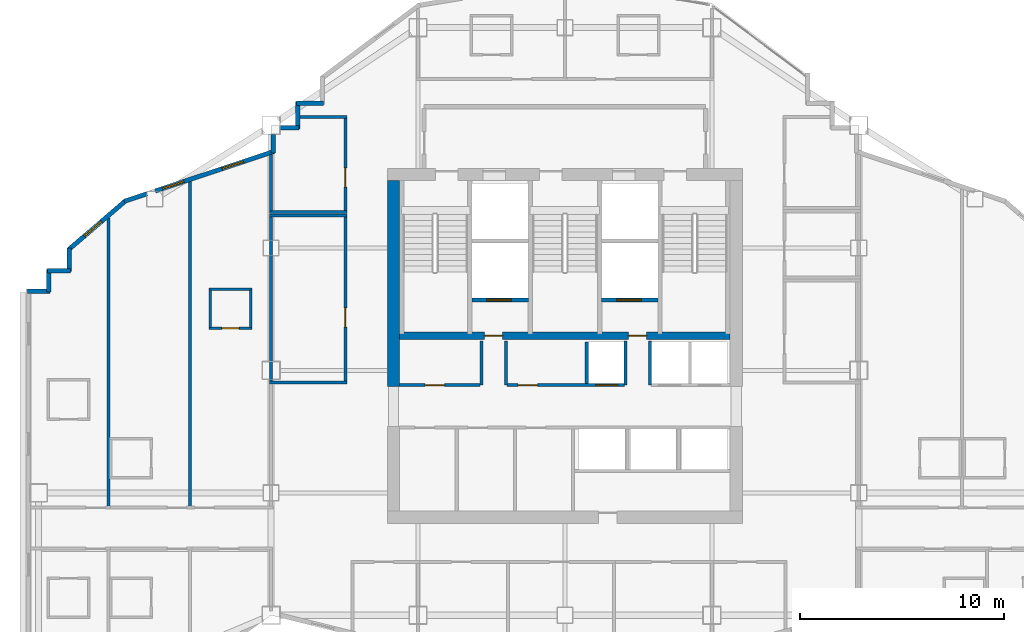
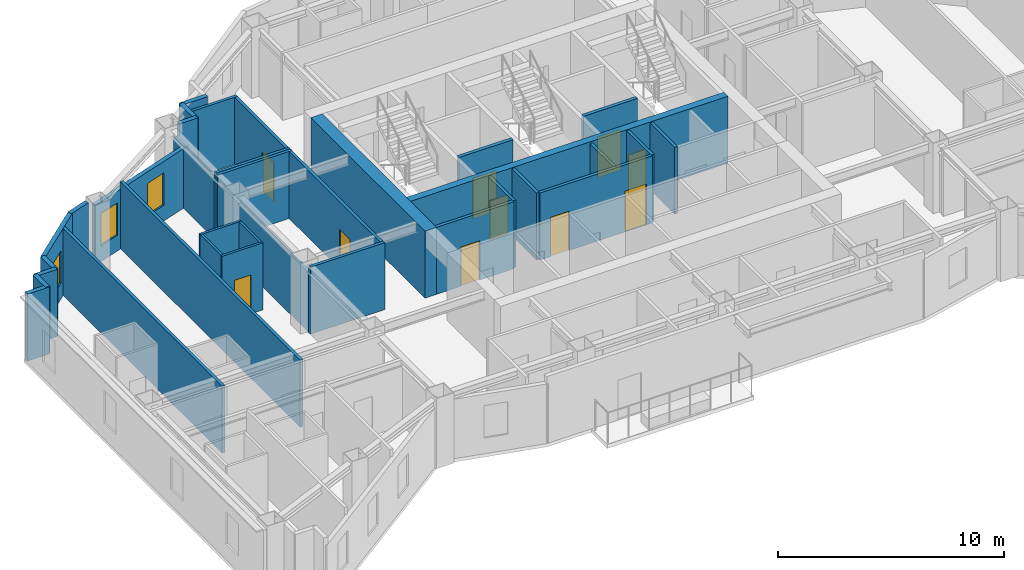
# One storey, part 6 of 13: 36 walls, 10 doors, 3 windows, 13 openings.
"""IFC4 building model written with IfcOpenShell, lengths in metres."""

from ifc_helpers import new_model, si_unit, direction, frame, frame_2d, origin, place, context, subcontext, project, spatial, rectangle, extrude, material, layer, layer_set, type_object, element, fill, save


model = new_model("IFC4")

# Units and contexts
model_context = context("Model", 3, precision=1e-05, world=origin(), true_north=direction((0.0, 1.0)))
body_context = subcontext(model_context, "Body", "Model", "MODEL_VIEW")
ifc_project = project(units=[si_unit("LENGTHUNIT", "METRE"), si_unit("AREAUNIT", "SQUARE_METRE"), si_unit("VOLUMEUNIT", "CUBIC_METRE"), si_unit("PLANEANGLEUNIT", "RADIAN"), si_unit("MASSUNIT", "GRAM", prefix="KILO")], contexts=[model_context])

# Site, building, storey
site_placement = place(None, origin())
site = spatial("IfcSite", under=ifc_project, at=site_placement, CompositionType="ELEMENT")
building_placement = place(site_placement, origin())
building = spatial("IfcBuilding", under=site, at=building_placement, Name="Haolan Belvedere Tower", CompositionType="ELEMENT")
storey_placement = place(building_placement, frame((0.0, 0.0, 219.199951171875)))
storey = spatial("IfcBuildingStorey", under=building, at=storey_placement, Name="L55", CompositionType="ELEMENT", Elevation=219.199951171875)

# Walls
ifc_material_1 = material(Name="Concrete C60/75", Category="concrete")
ifc_layer_1 = layer(ifc_material_1, 0.60009765625, Name="Concrete C60/75")
ifc_layer_set_1 = layer_set([ifc_layer_1], Name="Concrete C60/75")
wall_type_1 = type_object("IfcWallType", Name="WL-CORE-600", PredefinedType="SHEAR", material=ifc_layer_set_1)
wall_1_placement = place(storey_placement, frame((30.0, 32.800048828125, 0.0), z_axis=(0.0, 0.0, 1.0), x_axis=(0.0, 1.0, 0.0)))
element("IfcWall", 1, at=wall_1_placement, inside=storey, type_object=wall_type_1, Name="L55 central core shear wall WN", PredefinedType="SHEAR", context=body_context, shape_type="SweptSolid", body=[
    extrude(rectangle(XDim=10.099853515625, YDim=0.60009765625, at=frame_2d((5.0498046875, 0.0))), origin(), (0.0, 0.0, 1.0), 3.6201171875),
])
ifc_material_2 = material(Name="Precast concrete C40/50", Category="concrete")
ifc_layer_2 = layer(ifc_material_2, 0.219970703125, Name="Precast concrete C40/50")
ifc_layer_set_2 = layer_set([ifc_layer_2], Name="Precast concrete C40/50")
wall_type_2 = type_object("IfcWallType", Name="WL-EXT-220", PredefinedType="SOLIDWALL", material=ifc_layer_set_2)
for number, where, z_axis, x_axis, name in (
    (2, (26.56494140625, 46.68994140625, 0.0), (0.0, 0.0, 1.0), (-1.0, 0.0, 0.0), "L55 pale-metal exterior spandrel wall 25.1"),
    (3, (25.31005859375, 46.7451171875, 0.0), (0.0, 0.0, 1.0), (0.0, -1.0, 0.0), "L55 pale-metal exterior spandrel wall 26.1"),
):
    element("IfcWall", number, at=place(storey_placement, frame(where, z_axis=z_axis, x_axis=x_axis)), inside=storey, type_object=wall_type_2, Name=name, PredefinedType="SOLIDWALL", context=body_context, shape_type="SweptSolid", body=[
        extrude(rectangle(XDim=1.31005859375, YDim=0.219970703125, at=frame_2d((0.655029296875, 0.0))), origin(), (0.0, 0.0, 1.0), 3.6201171875),
    ])
wall_2_placement = place(storey_placement, frame((25.364990234375, 45.489990234375, 0.0), z_axis=(0.0, 0.0, 1.0), x_axis=(-1.0, 0.0, 0.0)))
element("IfcWall", 4, at=wall_2_placement, inside=storey, type_object=wall_type_2, Name="L55 pale-metal exterior spandrel wall 27.1", PredefinedType="SOLIDWALL", context=body_context, shape_type="SweptSolid", body=[
    extrude(rectangle(XDim=0.923095703125, YDim=0.219970703125, at=frame_2d((0.46142578125, 0.0))), origin(), (0.0, 0.0, 1.0), 3.6201171875),
])
wall_3_placement = place(storey_placement, frame((24.110107421875, 45.157958984375, 0.0), z_axis=(0.0, 0.0, 1.0), x_axis=(0.0, -1.0, 0.0)))
element("IfcWall", 5, at=wall_3_placement, inside=storey, type_object=wall_type_2, Name="L55 pale-metal exterior spandrel wall 28.1", PredefinedType="SOLIDWALL", context=body_context, shape_type="SweptSolid", body=[
    extrude(rectangle(XDim=0.892333984375, YDim=0.219970703125, at=frame_2d((0.4462890625, 0.0))), origin(), (0.0, 0.0, 1.0), 3.215087890625),
])

# Wall, openings, windows
wall_4_placement = place(storey_placement, frame((24.162109375, 44.338134765625, 0.0), z_axis=(0.0, 0.0, 1.0), x_axis=(-0.948687265055, -0.316215864755, 0.0)))
wall_4 = element("IfcWall", 6, at=wall_4_placement, inside=storey, type_object=wall_type_2, Name="L55 pale-metal exterior spandrel wall 29.1", PredefinedType="SOLIDWALL", context=body_context, shape_type="SweptSolid", body=[
    extrude(rectangle(XDim=6.154052734375, YDim=0.219970703125, at=frame_2d((3.0771484375, 0.0))), origin(), (0.0, 0.0, 1.0), 3.215087890625),
])
opening_1_placement = place(wall_4_placement, frame((1.60009765625, 0.0, 0.85009765625)))
opening_1 = element("IfcOpeningElement", 7, at=opening_1_placement, cuts=wall_4, Name="Opening W-03", PredefinedType="OPENING", context=body_context, shape_type="SweptSolid", body=[
    extrude(rectangle(XDim=1.10009765625, YDim=1.75, at=frame_2d((0.550048828125, 0.875))), frame((0.0, 0.119873046875, 0.0), z_axis=(0.0, -1.0, 0.0), x_axis=(1.0, 0.0, 0.0)), (0.0, 0.0, 1.0), 0.239990234375),
])
opening_2_placement = place(wall_4_placement, frame((4.677978515625, 0.0, 0.85009765625)))
opening_2 = element("IfcOpeningElement", 8, at=opening_2_placement, cuts=wall_4, Name="Opening W-03", PredefinedType="OPENING", context=body_context, shape_type="SweptSolid", body=[
    extrude(rectangle(XDim=1.10009765625, YDim=1.75, at=frame_2d((0.550048828125, 0.875))), frame((0.0, 0.119873046875, 0.0), z_axis=(0.0, -1.0, 0.0), x_axis=(1.0, 0.0, 0.0)), (0.0, 0.0, 1.0), 0.239990234375),
])
ifc_material_3 = material(Name="Anodised aluminium 6063-T6 and Low-E glass", Category="aluminium")
window_type = type_object("IfcWindowType", Name="WN-DECO-Z3", PartitioningType="SINGLE_PANEL", PredefinedType="WINDOW", material=ifc_material_3)
window_1_placement = place(opening_1_placement, origin())
window_1 = element("IfcWindow", 9, at=window_1_placement, inside=storey, type_object=window_type, Name="L55 Art Deco chevron window 1", OverallHeight=1.75, OverallWidth=1.10009765625, PartitioningType="SINGLE_PANEL", PredefinedType="WINDOW", context=body_context, shape_type="SweptSolid", body=[
    extrude(rectangle(XDim=1.10009765625, YDim=1.75, at=frame_2d((0.550048828125, 0.875))), frame((0.0, 0.030029296875, 0.0), z_axis=(0.0, -1.0, 0.0), x_axis=(1.0, 0.0, 0.0)), (0.0, 0.0, 1.0), 0.06005859375),
])
fill(opening_1, window_1)
window_2_placement = place(opening_2_placement, origin())
window_2 = element("IfcWindow", 10, at=window_2_placement, inside=storey, type_object=window_type, Name="L55 Art Deco guestroom window 1", OverallHeight=1.75, OverallWidth=1.10009765625, PartitioningType="SINGLE_PANEL", PredefinedType="WINDOW", context=body_context, shape_type="SweptSolid", body=[
    extrude(rectangle(XDim=1.10009765625, YDim=1.75, at=frame_2d((0.550048828125, 0.875))), frame((0.0, 0.030029296875, 0.0), z_axis=(0.0, -1.0, 0.0), x_axis=(1.0, 0.0, 0.0)), (0.0, 0.0, 1.0), 0.06005859375),
])
fill(opening_2, window_2)

# Wall
wall_5_placement = place(storey_placement, frame((17.907958984375, 42.25341796875, 0.0), z_axis=(0.0, 0.0, 1.0), x_axis=(-0.948662335685, -0.316290646166, 0.0)))
element("IfcWall", 11, at=wall_5_placement, inside=storey, type_object=wall_type_2, Name="L55 pale-metal exterior spandrel wall 29.2", PredefinedType="SOLIDWALL", context=body_context, shape_type="SweptSolid", body=[
    extrude(rectangle(XDim=1.164794921875, YDim=0.219970703125, at=frame_2d((0.58251953125, 0.0))), origin(), (0.0, 0.0, 1.0), 3.6201171875),
])

# Wall, opening, window
wall_6_placement = place(storey_placement, frame((16.89697265625, 41.938232421875, 0.0), z_axis=(0.0, 0.0, 1.0), x_axis=(-0.759279729622, -0.650764390686, 0.0)))
wall_6 = element("IfcWall", 12, at=wall_6_placement, inside=storey, type_object=wall_type_2, Name="L55 pale-metal exterior spandrel wall 30.1", PredefinedType="SOLIDWALL", context=body_context, shape_type="SweptSolid", body=[
    extrude(rectangle(XDim=3.725830078125, YDim=0.219970703125, at=frame_2d((1.86279296875, 0.0))), origin(), (0.0, 0.0, 1.0), 3.6201171875),
])
opening_3_placement = place(wall_6_placement, frame((1.60009765625, 0.0, 0.85009765625)))
opening_3 = element("IfcOpeningElement", 13, at=opening_3_placement, cuts=wall_6, Name="Opening W-03", PredefinedType="OPENING", context=body_context, shape_type="SweptSolid", body=[
    extrude(rectangle(XDim=1.10009765625, YDim=1.75, at=frame_2d((0.550048828125, 0.875))), frame((0.0, 0.119873046875, 0.0), z_axis=(0.0, -1.0, 0.0), x_axis=(1.0, 0.0, 0.0)), (0.0, 0.0, 1.0), 0.239990234375),
])
window_3_placement = place(opening_3_placement, origin())
window_3 = element("IfcWindow", 14, at=window_3_placement, inside=storey, type_object=window_type, Name="L55 Art Deco chevron window 1", OverallHeight=1.75, OverallWidth=1.10009765625, PartitioningType="SINGLE_PANEL", PredefinedType="WINDOW", context=body_context, shape_type="SweptSolid", body=[
    extrude(rectangle(XDim=1.10009765625, YDim=1.75, at=frame_2d((0.550048828125, 0.875))), frame((0.0, 0.030029296875, 0.0), z_axis=(0.0, -1.0, 0.0), x_axis=(1.0, 0.0, 0.0)), (0.0, 0.0, 1.0), 0.06005859375),
])
fill(opening_3, window_3)

# Walls
wall_7_placement = place(storey_placement, frame((14.110107421875, 39.6044921875, 0.0), z_axis=(0.0, 0.0, 1.0), x_axis=(0.0, -1.0, 0.0)))
element("IfcWall", 15, at=wall_7_placement, inside=storey, type_object=wall_type_2, Name="L55 pale-metal exterior spandrel wall 31.1", PredefinedType="SOLIDWALL", context=body_context, shape_type="SweptSolid", body=[
    extrude(rectangle(XDim=1.16943359375, YDim=0.219970703125, at=frame_2d((0.584716796875, 0.0))), origin(), (0.0, 0.0, 1.0), 3.6201171875),
])
wall_8_placement = place(storey_placement, frame((14.1650390625, 38.489990234375, 0.0), z_axis=(0.0, 0.0, 1.0), x_axis=(-1.0, 0.0, 0.0)))
element("IfcWall", 16, at=wall_8_placement, inside=storey, type_object=wall_type_2, Name="L55 pale-metal exterior spandrel wall 32.1", PredefinedType="SOLIDWALL", context=body_context, shape_type="SweptSolid", body=[
    extrude(rectangle(XDim=1.110107421875, YDim=0.219970703125, at=frame_2d((0.55517578125, 0.0))), origin(), (0.0, 0.0, 1.0), 3.6201171875),
])
wall_9_placement = place(storey_placement, frame((13.110107421875, 38.544921875, 0.0), z_axis=(0.0, 0.0, 1.0), x_axis=(0.0, -1.0, 0.0)))
element("IfcWall", 17, at=wall_9_placement, inside=storey, type_object=wall_type_2, Name="L55 pale-metal exterior spandrel wall 33.1", PredefinedType="SOLIDWALL", context=body_context, shape_type="SweptSolid", body=[
    extrude(rectangle(XDim=1.10986328125, YDim=0.219970703125, at=frame_2d((0.554931640625, 0.0))), origin(), (0.0, 0.0, 1.0), 3.6201171875),
])
wall_10_placement = place(storey_placement, frame((13.1650390625, 37.489990234375, 0.0), z_axis=(0.0, 0.0, 1.0), x_axis=(-1.0, 0.0, 0.0)))
element("IfcWall", 18, at=wall_10_placement, inside=storey, type_object=wall_type_2, Name="L55 pale-metal exterior spandrel wall 34.1", PredefinedType="SOLIDWALL", context=body_context, shape_type="SweptSolid", body=[
    extrude(rectangle(XDim=1.110107421875, YDim=0.219970703125, at=frame_2d((0.55517578125, 0.0))), origin(), (0.0, 0.0, 1.0), 3.6201171875),
])
ifc_material_4 = material(Name="Double gypsum acoustic stud partition", Category="masonry")
ifc_layer_3 = layer(ifc_material_4, 0.14990234375, Name="Double gypsum acoustic stud partition")
ifc_layer_set_3 = layer_set([ifc_layer_3], Name="Double gypsum acoustic stud partition")
wall_type_3 = type_object("IfcWallType", Name="WL-PART-150", PredefinedType="PARTITIONING", material=ifc_layer_set_3)
for number, where, z_axis, x_axis, name in (
    (19, (23.919921875, 41.199951171875, 0.0), (0.0, 0.0, 1.0), (1.0, 0.0, 0.0), "L55 interior partition IW-L55-SAL-N"),
    (20, (23.919921875, 33.0, 0.0), (0.0, 0.0, 1.0), (1.0, 0.0, 0.0), "L55 interior partition IW-L55-SAL-S"),
):
    element("IfcWall", number, at=place(storey_placement, frame(where, z_axis=z_axis, x_axis=x_axis)), inside=storey, type_object=wall_type_3, Name=name, PredefinedType="PARTITIONING", context=body_context, shape_type="SweptSolid", body=[
        extrude(rectangle(XDim=3.800048828125, YDim=0.14990234375, at=frame_2d((1.89990234375, 0.0))), origin(), (0.0, 0.0, 1.0), 3.6201171875),
    ])
wall_11_placement = place(storey_placement, frame((24.0, 33.06005859375, 0.0), z_axis=(0.0, 0.0, 1.0), x_axis=(0.0, 1.0, 0.0)))
element("IfcWall", 21, at=wall_11_placement, inside=storey, type_object=wall_type_3, Name="L55 interior partition IW-L55-SAL-W", PredefinedType="PARTITIONING", context=body_context, shape_type="SweptSolid", body=[
    extrude(rectangle(XDim=8.079833984375, YDim=0.14990234375, at=frame_2d((4.0400390625, 0.0))), origin(), (0.0, 0.0, 1.0), 3.215087890625),
])

# Wall, opening, door
wall_12_placement = place(storey_placement, frame((27.639892578125, 33.06005859375, 0.0), z_axis=(0.0, 0.0, 1.0), x_axis=(0.0, 1.0, 0.0)))
wall_12 = element("IfcWall", 22, at=wall_12_placement, inside=storey, type_object=wall_type_3, Name="L55 interior partition IW-L55-SAL-E", PredefinedType="PARTITIONING", context=body_context, shape_type="SweptSolid", body=[
    extrude(rectangle(XDim=8.079833984375, YDim=0.14990234375, at=frame_2d((4.0400390625, 0.0))), origin(), (0.0, 0.0, 1.0), 3.6201171875),
])
opening_4_placement = place(wall_12_placement, frame((3.60986328125, 0.0, 0.0), z_axis=(0.0, 0.0, 1.0), x_axis=(-1.0, 0.0, 0.0)))
opening_4 = element("IfcOpeningElement", 23, at=opening_4_placement, cuts=wall_12, Name="Opening ID-03", PredefinedType="OPENING", context=body_context, shape_type="SweptSolid", body=[
    extrude(rectangle(XDim=0.949951171875, YDim=2.1201171875, at=frame_2d((0.47509765625, 1.06005859375))), frame((0.0, 0.0849609375, 0.0), z_axis=(0.0, -1.0, 0.0), x_axis=(1.0, 0.0, 0.0)), (0.0, 0.0, 1.0), 0.169921875),
])
ifc_material_5 = material(Name="Painted solid-core timber", Category="wood")
door_type_1 = type_object("IfcDoorType", Name="DR-INT-950", OperationType="NOTDEFINED", PredefinedType="DOOR", material=ifc_material_5)
door_1_placement = place(opening_4_placement, origin())
door_1 = element("IfcDoor", 24, at=door_1_placement, inside=storey, type_object=door_type_1, Name="L55 door ID-L55-SAL", OperationType="SINGLE_SWING_LEFT", OverallHeight=2.1201171875, OverallWidth=0.949951171875, PredefinedType="DOOR", context=body_context, shape_type="SweptSolid", body=[
    extrude(rectangle(XDim=0.949951171875, YDim=2.1201171875, at=frame_2d((0.47509765625, 1.06005859375))), frame((0.0, 0.02490234375, 0.0), z_axis=(0.0, -1.0, 0.0), x_axis=(1.0, 0.0, 0.0)), (0.0, 0.0, 1.0), 0.050048828125),
])
fill(opening_4, door_1)

# Walls
wall_13_placement = place(storey_placement, frame((25.412109375, 46.02001953125, 0.0), z_axis=(0.0, 0.0, 1.0), x_axis=(1.0, 0.0, 0.0)))
element("IfcWall", 25, at=wall_13_placement, inside=storey, type_object=wall_type_3, Name="L55 interior partition IW-L55-HSK-N", PredefinedType="PARTITIONING", context=body_context, shape_type="SweptSolid", body=[
    extrude(rectangle(XDim=2.307861328125, YDim=0.14990234375, at=frame_2d((1.15380859375, 0.0))), origin(), (0.0, 0.0, 1.0), 3.6201171875),
])
wall_14_placement = place(storey_placement, frame((23.919921875, 41.360107421875, 0.0), z_axis=(0.0, 0.0, 1.0), x_axis=(1.0, 0.0, 0.0)))
element("IfcWall", 26, at=wall_14_placement, inside=storey, type_object=wall_type_3, Name="L55 interior partition IW-L55-HSK-S", PredefinedType="PARTITIONING", context=body_context, shape_type="SweptSolid", body=[
    extrude(rectangle(XDim=3.800048828125, YDim=0.14990234375, at=frame_2d((1.89990234375, 0.0))), origin(), (0.0, 0.0, 1.0), 3.6201171875),
])
wall_15_placement = place(storey_placement, frame((24.0, 41.419921875, 0.0), z_axis=(0.0, 0.0, 1.0), x_axis=(0.0, 1.0, 0.0)))
element("IfcWall", 27, at=wall_15_placement, inside=storey, type_object=wall_type_3, Name="L55 interior partition IW-L55-HSK-W", PredefinedType="PARTITIONING", context=body_context, shape_type="SweptSolid", body=[
    extrude(rectangle(XDim=2.756591796875, YDim=0.14990234375, at=frame_2d((1.37841796875, 0.0))), origin(), (0.0, 0.0, 1.0), 3.215087890625),
])

# Wall, opening, door
wall_16_placement = place(storey_placement, frame((27.639892578125, 41.419921875, 0.0), z_axis=(0.0, 0.0, 1.0), x_axis=(0.0, 1.0, 0.0)))
wall_16 = element("IfcWall", 28, at=wall_16_placement, inside=storey, type_object=wall_type_3, Name="L55 interior partition IW-L55-HSK-E", PredefinedType="PARTITIONING", context=body_context, shape_type="SweptSolid", body=[
    extrude(rectangle(XDim=4.5400390625, YDim=0.14990234375, at=frame_2d((2.27001953125, 0.0))), origin(), (0.0, 0.0, 1.0), 3.6201171875),
])
opening_5_placement = place(wall_16_placement, frame((2.10986328125, 0.0, 0.0), z_axis=(0.0, 0.0, 1.0), x_axis=(-1.0, 0.0, 0.0)))
opening_5 = element("IfcOpeningElement", 29, at=opening_5_placement, cuts=wall_16, Name="Opening ID-03", PredefinedType="OPENING", context=body_context, shape_type="SweptSolid", body=[
    extrude(rectangle(XDim=0.949951171875, YDim=2.1201171875, at=frame_2d((0.47509765625, 1.06005859375))), frame((0.0, 0.0849609375, 0.0), z_axis=(0.0, -1.0, 0.0), x_axis=(1.0, 0.0, 0.0)), (0.0, 0.0, 1.0), 0.169921875),
])
door_2_placement = place(opening_5_placement, origin())
door_2 = element("IfcDoor", 30, at=door_2_placement, inside=storey, type_object=door_type_1, Name="L55 door ID-L55-HSK", OperationType="SINGLE_SWING_RIGHT", OverallHeight=2.1201171875, OverallWidth=0.949951171875, PredefinedType="DOOR", context=body_context, shape_type="SweptSolid", body=[
    extrude(rectangle(XDim=0.949951171875, YDim=2.1201171875, at=frame_2d((0.47509765625, 1.06005859375))), frame((0.0, 0.02490234375, 0.0), z_axis=(0.0, -1.0, 0.0), x_axis=(1.0, 0.0, 0.0)), (0.0, 0.0, 1.0), 0.050048828125),
])
fill(opening_5, door_2)

# Walls
wall_17_placement = place(storey_placement, frame((16.030029296875, 26.93994140625, 0.0), z_axis=(0.0, 0.0, 1.0), x_axis=(0.0, 1.0, 0.0)))
element("IfcWall", 31, at=wall_17_placement, inside=storey, type_object=wall_type_3, Name="L55 interior partition IW-L55-T2N1-E", PredefinedType="PARTITIONING", context=body_context, shape_type="SweptSolid", body=[
    extrude(rectangle(XDim=14.120849609375, YDim=0.14990234375, at=frame_2d((7.060546875, 0.0))), origin(), (0.0, 0.0, 1.0), 3.6201171875),
])
wall_18_placement = place(storey_placement, frame((20.02001953125, 26.93994140625, 0.0), z_axis=(0.0, 0.0, 1.0), x_axis=(0.0, 1.0, 0.0)))
element("IfcWall", 32, at=wall_18_placement, inside=storey, type_object=wall_type_3, Name="L55 interior partition IW-L55-T2N2-E", PredefinedType="PARTITIONING", context=body_context, shape_type="SweptSolid", body=[
    extrude(rectangle(XDim=15.909912109375, YDim=0.14990234375, at=frame_2d((7.955078125, 0.0))), origin(), (0.0, 0.0, 1.0), 3.6201171875),
])
ifc_material_6 = material(Name="Gypsum fire shaftwall assembly", Category="masonry")
ifc_layer_4 = layer(ifc_material_6, 0.1650390625, Name="Gypsum fire shaftwall assembly")
ifc_layer_set_4 = layer_set([ifc_layer_4], Name="Gypsum fire shaftwall assembly")
wall_type_4 = type_object("IfcWallType", Name="WL-SHAFT-160", PredefinedType="SOLIDWALL", material=ifc_layer_set_4)
for number, where, z_axis, x_axis, name in (
    (33, (34.31005859375, 32.8798828125, 0.0), (0.0, 0.0, 1.0), (0.0, 1.0, 0.0), "L55 interior partition IW-L55-SVP-W-SV1"),
    (34, (35.510009765625, 32.8798828125, 0.0), (0.0, 0.0, 1.0), (0.0, 1.0, 0.0), "L55 interior partition IW-L55-SVP-E-SV1"),
    (35, (41.3701171875, 32.8798828125, 0.0), (0.0, 0.0, 1.0), (0.0, 1.0, 0.0), "L55 interior partition IW-L55-SVP-W-SV2"),
    (36, (42.570068359375, 32.8798828125, 0.0), (0.0, 0.0, 1.0), (0.0, 1.0, 0.0), "L55 interior partition IW-L55-SVP-E-SV2"),
):
    element("IfcWall", number, at=place(storey_placement, frame(where, z_axis=z_axis, x_axis=x_axis)), inside=storey, type_object=wall_type_4, Name=name, PredefinedType="SOLIDWALL", context=body_context, shape_type="SweptSolid", body=[
        extrude(rectangle(XDim=2.170166015625, YDim=0.14990234375, at=frame_2d((1.0849609375, 0.0))), origin(), (0.0, 0.0, 1.0), 3.6201171875),
    ])

# Wall, opening, door
wall_19_placement = place(storey_placement, frame((30.300048828125, 32.8798828125, 0.0), z_axis=(0.0, 0.0, 1.0), x_axis=(1.0, 0.0, 0.0)))
wall_19 = element("IfcWall", 37, at=wall_19_placement, inside=storey, type_object=wall_type_4, Name="L55 interior partition IW-L55-ROW-PN1", PredefinedType="SOLIDWALL", context=body_context, shape_type="SweptSolid", body=[
    extrude(rectangle(XDim=3.949951171875, YDim=0.159912109375, at=frame_2d((1.97509765625, 0.0))), origin(), (0.0, 0.0, 1.0), 3.6201171875),
])
opening_6_placement = place(wall_19_placement, frame((2.199951171875, 0.0, 0.0), z_axis=(0.0, 0.0, 1.0), x_axis=(-1.0, 0.0, 0.0)))
opening_6 = element("IfcOpeningElement", 38, at=opening_6_placement, cuts=wall_19, Name="Opening ID-03", PredefinedType="OPENING", context=body_context, shape_type="SweptSolid", body=[
    extrude(rectangle(XDim=0.949951171875, YDim=2.1201171875, at=frame_2d((0.47509765625, 1.06005859375))), frame((0.0, 0.08984375, 0.0), z_axis=(0.0, -1.0, 0.0), x_axis=(1.0, 0.0, 0.0)), (0.0, 0.0, 1.0), 0.179931640625),
])
door_3_placement = place(opening_6_placement, origin())
door_3 = element("IfcDoor", 39, at=door_3_placement, inside=storey, type_object=door_type_1, Name="L55 door ID-L55-CD-RPLW", OperationType="SINGLE_SWING_LEFT", OverallHeight=2.1201171875, OverallWidth=0.949951171875, PredefinedType="DOOR", context=body_context, shape_type="SweptSolid", body=[
    extrude(rectangle(XDim=0.949951171875, YDim=2.1201171875, at=frame_2d((0.47509765625, 1.06005859375))), frame((0.0, 0.02490234375, 0.0), z_axis=(0.0, -1.0, 0.0), x_axis=(1.0, 0.0, 0.0)), (0.0, 0.0, 1.0), 0.050048828125),
])
fill(opening_6, door_3)

# Wall, openings, doors
wall_20_placement = place(storey_placement, frame((35.570068359375, 32.8798828125, 0.0), z_axis=(0.0, 0.0, 1.0), x_axis=(1.0, 0.0, 0.0)))
wall_20 = element("IfcWall", 40, at=wall_20_placement, inside=storey, type_object=wall_type_4, Name="L55 interior partition IW-L55-ROW-PN2", PredefinedType="SOLIDWALL", context=body_context, shape_type="SweptSolid", body=[
    extrude(rectangle(XDim=5.739990234375, YDim=0.159912109375, at=frame_2d((2.8701171875, 0.0))), origin(), (0.0, 0.0, 1.0), 3.6201171875),
])
opening_7_placement = place(wall_20_placement, frame((1.489990234375, 0.0, 0.0), z_axis=(0.0, 0.0, 1.0), x_axis=(-1.0, 0.0, 0.0)))
opening_7 = element("IfcOpeningElement", 41, at=opening_7_placement, cuts=wall_20, Name="Opening ID-03", PredefinedType="OPENING", context=body_context, shape_type="SweptSolid", body=[
    extrude(rectangle(XDim=0.949951171875, YDim=2.1201171875, at=frame_2d((0.47509765625, 1.06005859375))), frame((0.0, 0.08984375, 0.0), z_axis=(0.0, -1.0, 0.0), x_axis=(1.0, 0.0, 0.0)), (0.0, 0.0, 1.0), 0.179931640625),
])
opening_8_placement = place(wall_20_placement, frame((5.43017578125, 0.0, 0.0), z_axis=(0.0, 0.0, 1.0), x_axis=(-1.0, 0.0, 0.0)))
opening_8 = element("IfcOpeningElement", 42, at=opening_8_placement, cuts=wall_20, Name="Opening LD-01", PredefinedType="OPENING", context=body_context, shape_type="SweptSolid", body=[
    extrude(rectangle(XDim=1.10009765625, YDim=2.199951171875, at=frame_2d((0.550048828125, 1.10009765625))), frame((0.0, 0.08984375, 0.0), z_axis=(0.0, -1.0, 0.0), x_axis=(1.0, 0.0, 0.0)), (0.0, 0.0, 1.0), 0.179931640625),
])
door_4_placement = place(opening_7_placement, origin())
door_4 = element("IfcDoor", 43, at=door_4_placement, inside=storey, type_object=door_type_1, Name="L55 door ID-L55-CD-RPLE", OperationType="SINGLE_SWING_RIGHT", OverallHeight=2.1201171875, OverallWidth=0.949951171875, PredefinedType="DOOR", context=body_context, shape_type="SweptSolid", body=[
    extrude(rectangle(XDim=0.949951171875, YDim=2.1201171875, at=frame_2d((0.47509765625, 1.06005859375))), frame((0.0, 0.02490234375, 0.0), z_axis=(0.0, -1.0, 0.0), x_axis=(1.0, 0.0, 0.0)), (0.0, 0.0, 1.0), 0.050048828125),
])
fill(opening_7, door_4)
ifc_material_7 = material(Name="Brushed champagne stainless steel 316L", Category="steel")
door_type_2 = type_object("IfcDoorType", Name="DR-LIFT-1100", OperationType="SLIDING_TO_LEFT", PredefinedType="DOOR", material=ifc_material_7)
door_5_placement = place(opening_8_placement, origin())
door_5 = element("IfcDoor", 44, at=door_5_placement, inside=storey, type_object=door_type_2, Name="L55 door ID-L55-LD-PH1", OperationType="SLIDING_TO_RIGHT", OverallHeight=2.199951171875, OverallWidth=1.10009765625, PredefinedType="DOOR", context=body_context, shape_type="SweptSolid", body=[
    extrude(rectangle(XDim=1.10009765625, YDim=2.199951171875, at=frame_2d((0.550048828125, 1.10009765625))), frame((0.0, 0.02490234375, 0.0), z_axis=(0.0, -1.0, 0.0), x_axis=(1.0, 0.0, 0.0)), (0.0, 0.0, 1.0), 0.050048828125),
])
fill(opening_8, door_5)

# Wall
wall_21_placement = place(storey_placement, frame((39.469970703125, 32.949951171875, 0.0), z_axis=(0.0, 0.0, 1.0), x_axis=(0.0, 1.0, 0.0)))
element("IfcWall", 45, at=wall_21_placement, inside=storey, type_object=wall_type_4, Name="L55 interior partition IW-L55-DIV-PL4R", PredefinedType="SOLIDWALL", context=body_context, shape_type="SweptSolid", body=[
    extrude(rectangle(XDim=2.050048828125, YDim=0.14990234375, at=frame_2d((1.02490234375, 0.0))), origin(), (0.0, 0.0, 1.0), 3.6201171875),
])

# Wall, opening, door
ifc_layer_5 = layer(ifc_material_2, 0.179931640625, Name="Precast concrete C40/50")
ifc_layer_set_5 = layer_set([ifc_layer_5], Name="Precast concrete C40/50")
wall_type_5 = type_object("IfcWallType", Name="WL-SHAFT-180", PredefinedType="SOLIDWALL", material=ifc_layer_set_5)
wall_22_placement = place(storey_placement, frame((33.8349609375, 37.050048828125, 0.0), z_axis=(0.0, 0.0, 1.0), x_axis=(1.0, 0.0, 0.0)))
wall_22 = element("IfcWall", 46, at=wall_22_placement, inside=storey, type_object=wall_type_5, Name="L55 interior partition IW-L55-SV1-S", PredefinedType="SOLIDWALL", context=body_context, shape_type="SweptSolid", body=[
    extrude(rectangle(XDim=2.77001953125, YDim=0.179931640625, at=frame_2d((1.385009765625, 0.0))), origin(), (0.0, 0.0, 1.0), 3.6201171875),
])
opening_9_placement = place(wall_22_placement, frame((1.945068359375, 0.0, 0.0), z_axis=(0.0, 0.0, 1.0), x_axis=(-1.0, 0.0, 0.0)))
opening_9 = element("IfcOpeningElement", 47, at=opening_9_placement, cuts=wall_22, Name="Opening LD-02", PredefinedType="OPENING", context=body_context, shape_type="SweptSolid", body=[
    extrude(rectangle(XDim=1.199951171875, YDim=2.199951171875, at=frame_2d((0.60009765625, 1.10009765625))), frame((0.0, 0.099853515625, 0.0), z_axis=(0.0, -1.0, 0.0), x_axis=(1.0, 0.0, 0.0)), (0.0, 0.0, 1.0), 0.199951171875),
])
door_type_3 = type_object("IfcDoorType", Name="DR-LIFT-1200", OperationType="SLIDING_TO_RIGHT", PredefinedType="DOOR", material=ifc_material_7)
door_6_placement = place(opening_9_placement, origin())
door_6 = element("IfcDoor", 48, at=door_6_placement, inside=storey, type_object=door_type_3, Name="L55 door ID-L55-LD-SV1", OperationType="SLIDING_TO_RIGHT", OverallHeight=2.199951171875, OverallWidth=1.199951171875, PredefinedType="DOOR", context=body_context, shape_type="SweptSolid", body=[
    extrude(rectangle(XDim=1.199951171875, YDim=2.199951171875, at=frame_2d((0.60009765625, 1.10009765625))), frame((0.0, 0.02490234375, 0.0), z_axis=(0.0, -1.0, 0.0), x_axis=(1.0, 0.0, 0.0)), (0.0, 0.0, 1.0), 0.050048828125),
])
fill(opening_9, door_6)

wall_23_placement = place(storey_placement, frame((40.195068359375, 37.050048828125, 0.0), z_axis=(0.0, 0.0, 1.0), x_axis=(1.0, 0.0, 0.0)))
wall_23 = element("IfcWall", 49, at=wall_23_placement, inside=storey, type_object=wall_type_5, Name="L55 interior partition IW-L55-SV2-S", PredefinedType="SOLIDWALL", context=body_context, shape_type="SweptSolid", body=[
    extrude(rectangle(XDim=2.77001953125, YDim=0.179931640625, at=frame_2d((1.385009765625, 0.0))), origin(), (0.0, 0.0, 1.0), 3.6201171875),
])
opening_10_placement = place(wall_23_placement, frame((1.945068359375, 0.0, 0.0), z_axis=(0.0, 0.0, 1.0), x_axis=(-1.0, 0.0, 0.0)))
opening_10 = element("IfcOpeningElement", 50, at=opening_10_placement, cuts=wall_23, Name="Opening LD-02", PredefinedType="OPENING", context=body_context, shape_type="SweptSolid", body=[
    extrude(rectangle(XDim=1.199951171875, YDim=2.199951171875, at=frame_2d((0.60009765625, 1.10009765625))), frame((0.0, 0.099853515625, 0.0), z_axis=(0.0, -1.0, 0.0), x_axis=(1.0, 0.0, 0.0)), (0.0, 0.0, 1.0), 0.199951171875),
])
door_7_placement = place(opening_10_placement, origin())
door_7 = element("IfcDoor", 51, at=door_7_placement, inside=storey, type_object=door_type_3, Name="L55 door ID-L55-LD-SV2", OperationType="SLIDING_TO_RIGHT", OverallHeight=2.199951171875, OverallWidth=1.199951171875, PredefinedType="DOOR", context=body_context, shape_type="SweptSolid", body=[
    extrude(rectangle(XDim=1.199951171875, YDim=2.199951171875, at=frame_2d((0.60009765625, 1.10009765625))), frame((0.0, 0.02490234375, 0.0), z_axis=(0.0, -1.0, 0.0), x_axis=(1.0, 0.0, 0.0)), (0.0, 0.0, 1.0), 0.050048828125),
])
fill(opening_10, door_7)

# Wall, openings, doors
ifc_layer_6 = layer(ifc_material_1, 0.360107421875, Name="Concrete C60/75")
ifc_layer_set_6 = layer_set([ifc_layer_6], Name="Concrete C60/75")
wall_type_6 = type_object("IfcWallType", Name="WL-WEB-350", PredefinedType="SHEAR", material=ifc_layer_set_6)
wall_24_placement = place(storey_placement, frame((30.300048828125, 35.2900390625, 0.0), z_axis=(0.0, 0.0, 1.0), x_axis=(1.0, 0.0, 0.0)))
wall_24 = element("IfcWall", 52, at=wall_24_placement, inside=storey, type_object=wall_type_6, Name="L55 central core internal shear web", PredefinedType="SHEAR", context=body_context, shape_type="SweptSolid", body=[
    extrude(rectangle(XDim=16.199951171875, YDim=0.360107421875, at=frame_2d((8.10009765625, 0.0))), origin(), (0.0, 0.0, 1.0), 3.6201171875),
])
opening_11_placement = place(wall_24_placement, frame((5.0498046875, 0.0, 0.0), z_axis=(0.0, 0.0, 1.0), x_axis=(-1.0, 0.0, 0.0)))
opening_11 = element("IfcOpeningElement", 53, at=opening_11_placement, cuts=wall_24, Name="Opening FD-05", PredefinedType="OPENING", context=body_context, shape_type="SweptSolid", body=[
    extrude(rectangle(XDim=0.89990234375, YDim=2.10009765625, at=frame_2d((0.449951171875, 1.050048828125))), frame((0.0, 0.18994140625, 0.0), z_axis=(0.0, -1.0, 0.0), x_axis=(1.0, 0.0, 0.0)), (0.0, 0.0, 1.0), 0.380126953125),
])
opening_12_placement = place(wall_24_placement, frame((12.10986328125, 0.0, 0.0), z_axis=(0.0, 0.0, 1.0), x_axis=(-1.0, 0.0, 0.0)))
opening_12 = element("IfcOpeningElement", 54, at=opening_12_placement, cuts=wall_24, Name="Opening FD-05", PredefinedType="OPENING", context=body_context, shape_type="SweptSolid", body=[
    extrude(rectangle(XDim=0.89990234375, YDim=2.10009765625, at=frame_2d((0.449951171875, 1.050048828125))), frame((0.0, 0.18994140625, 0.0), z_axis=(0.0, -1.0, 0.0), x_axis=(1.0, 0.0, 0.0)), (0.0, 0.0, 1.0), 0.380126953125),
])
ifc_material_8 = material(Name="Galvanised fire-rated steel", Category="steel")
door_type_4 = type_object("IfcDoorType", Name="DR-FD60-900", OperationType="NOTDEFINED", PredefinedType="DOOR", material=ifc_material_8)
door_8_placement = place(opening_11_placement, origin())
door_8 = element("IfcDoor", 55, at=door_8_placement, inside=storey, type_object=door_type_4, Name="L55 door CD-L55-SVL-SV1", OperationType="SINGLE_SWING_RIGHT", OverallHeight=2.10009765625, OverallWidth=0.89990234375, PredefinedType="DOOR", context=body_context, shape_type="SweptSolid", body=[
    extrude(rectangle(XDim=0.89990234375, YDim=2.10009765625, at=frame_2d((0.449951171875, 1.050048828125))), frame((0.0, 0.02490234375, 0.0), z_axis=(0.0, -1.0, 0.0), x_axis=(1.0, 0.0, 0.0)), (0.0, 0.0, 1.0), 0.050048828125),
])
fill(opening_11, door_8)
door_9_placement = place(opening_12_placement, origin())
door_9 = element("IfcDoor", 56, at=door_9_placement, inside=storey, type_object=door_type_4, Name="L55 door CD-L55-SVL-SV2", OperationType="SINGLE_SWING_RIGHT", OverallHeight=2.10009765625, OverallWidth=0.89990234375, PredefinedType="DOOR", context=body_context, shape_type="SweptSolid", body=[
    extrude(rectangle(XDim=0.89990234375, YDim=2.10009765625, at=frame_2d((0.449951171875, 1.050048828125))), frame((0.0, 0.02490234375, 0.0), z_axis=(0.0, -1.0, 0.0), x_axis=(1.0, 0.0, 0.0)), (0.0, 0.0, 1.0), 0.050048828125),
])
fill(opening_12, door_9)

# Wall
ifc_material_9 = material(Name="Moisture-resistant gypsum tile partition", Category="masonry")
ifc_layer_7 = layer(ifc_material_9, 0.1201171875, Name="Moisture-resistant gypsum tile partition")
ifc_layer_set_7 = layer_set([ifc_layer_7], Name="Moisture-resistant gypsum tile partition")
wall_type_7 = type_object("IfcWallType", Name="WL-WET-120", PredefinedType="PARTITIONING", material=ifc_layer_set_7)
wall_25_placement = place(storey_placement, frame((20.9599609375, 37.5849609375, 0.0), z_axis=(0.0, 0.0, 1.0), x_axis=(1.0, 0.0, 0.0)))
element("IfcWall", 57, at=wall_25_placement, inside=storey, type_object=wall_type_7, Name="L55 interior partition IW-L55-T2N3-BN", PredefinedType="PARTITIONING", context=body_context, shape_type="SweptSolid", body=[
    extrude(rectangle(XDim=2.10009765625, YDim=0.1201171875, at=frame_2d((1.050048828125, 0.0))), origin(), (0.0, 0.0, 1.0), 3.6201171875),
])

# Wall, opening, door
wall_26_placement = place(storey_placement, frame((20.9599609375, 35.6650390625, 0.0), z_axis=(0.0, 0.0, 1.0), x_axis=(1.0, 0.0, 0.0)))
wall_26 = element("IfcWall", 58, at=wall_26_placement, inside=storey, type_object=wall_type_7, Name="L55 interior partition IW-L55-T2N3-BS", PredefinedType="PARTITIONING", context=body_context, shape_type="SweptSolid", body=[
    extrude(rectangle(XDim=2.10009765625, YDim=0.1201171875, at=frame_2d((1.050048828125, 0.0))), origin(), (0.0, 0.0, 1.0), 3.6201171875),
])
opening_13_placement = place(wall_26_placement, frame((0.625, 0.0, 0.0)))
opening_13 = element("IfcOpeningElement", 59, at=opening_13_placement, cuts=wall_26, Name="Opening ID-05", PredefinedType="OPENING", context=body_context, shape_type="SweptSolid", body=[
    extrude(rectangle(XDim=0.85009765625, YDim=2.10009765625, at=frame_2d((0.425048828125, 1.050048828125))), frame((0.0, 0.070068359375, 0.0), z_axis=(0.0, -1.0, 0.0), x_axis=(1.0, 0.0, 0.0)), (0.0, 0.0, 1.0), 0.14013671875),
])
ifc_material_10 = material(Name="Moisture-resistant lacquered timber", Category="wood")
door_type_5 = type_object("IfcDoorType", Name="DR-BATH-850", OperationType="NOTDEFINED", PredefinedType="DOOR", material=ifc_material_10)
door_10_placement = place(opening_13_placement, origin())
door_10 = element("IfcDoor", 60, at=door_10_placement, inside=storey, type_object=door_type_5, Name="L55 door ID-L55-T2N3-BATH", OperationType="SINGLE_SWING_LEFT", OverallHeight=2.10009765625, OverallWidth=0.85009765625, PredefinedType="DOOR", context=body_context, shape_type="SweptSolid", body=[
    extrude(rectangle(XDim=0.85009765625, YDim=2.10009765625, at=frame_2d((0.425048828125, 1.050048828125))), frame((0.0, 0.02490234375, 0.0), z_axis=(0.0, -1.0, 0.0), x_axis=(1.0, 0.0, 0.0)), (0.0, 0.0, 1.0), 0.050048828125),
])
fill(opening_13, door_10)

# Walls
for number, where, z_axis, x_axis, name in (
    (61, (21.02001953125, 35.7099609375, 0.0), (0.0, 0.0, 1.0), (0.0, 1.0, 0.0), "L55 interior partition IW-L55-T2N3-BW"),
    (62, (23.0, 35.7099609375, 0.0), (0.0, 0.0, 1.0), (0.0, 1.0, 0.0), "L55 interior partition IW-L55-T2N3-BE"),
):
    element("IfcWall", number, at=place(storey_placement, frame(where, z_axis=z_axis, x_axis=x_axis)), inside=storey, type_object=wall_type_7, Name=name, PredefinedType="PARTITIONING", context=body_context, shape_type="SweptSolid", body=[
        extrude(rectangle(XDim=1.830078125, YDim=0.1201171875, at=frame_2d((0.9150390625, 0.0))), origin(), (0.0, 0.0, 1.0), 3.6201171875),
    ])

save(model, "model.ifc")
